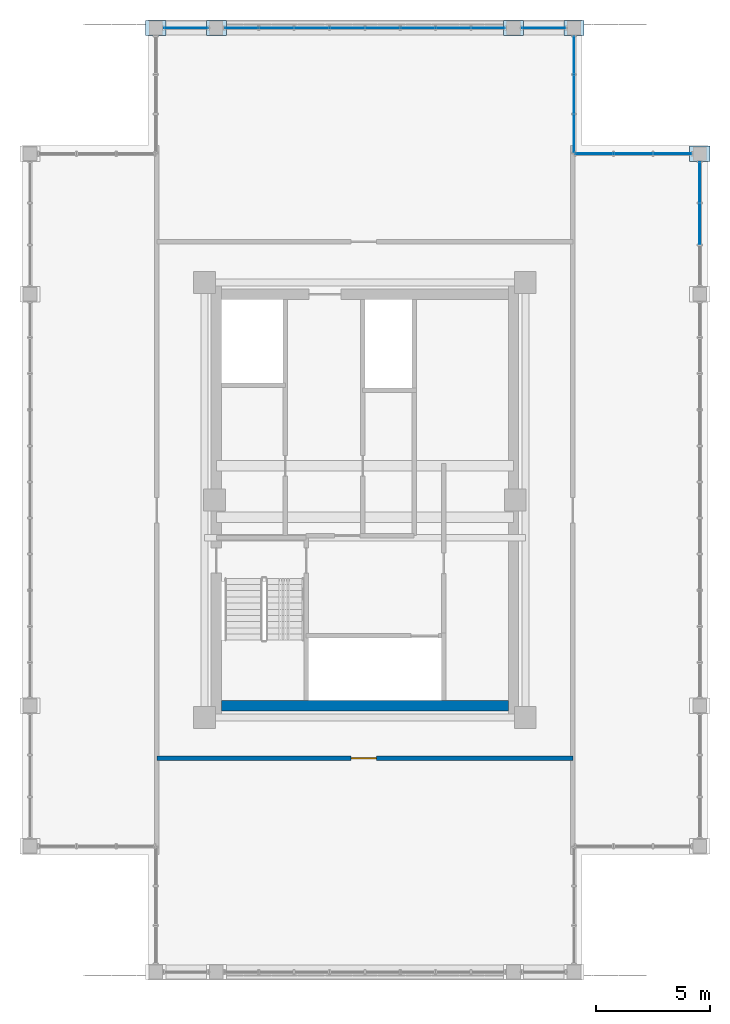
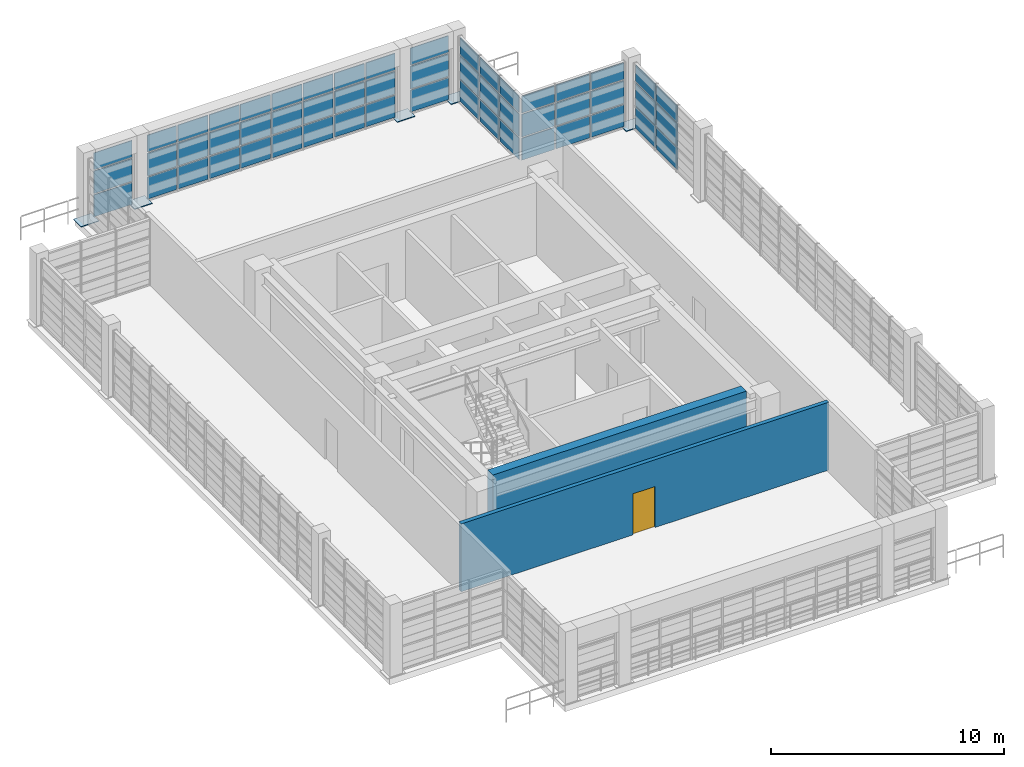
# One storey, part 19 of 24: 59 plates, 2 walls, 1 door, 1 opening, 6 elements without a shape of their own.
"""IFC4 building model written with IfcOpenShell, lengths in metres."""

from ifc_helpers import new_model, si_unit, direction, frame, frame_2d, origin, origin_2d, place, context, subcontext, project, spatial, rectangle, extrude, source, transform, mapped, material, layer, layer_set, type_object, element, fill, aggregate, save


model = new_model("IFC4")

# Units and contexts
model_context = context("Model", 3, precision=1e-05, world=origin(), true_north=direction((0.0, 1.0)))
body_context = subcontext(model_context, "Body", "Model", "MODEL_VIEW")
ifc_project = project(units=[si_unit("LENGTHUNIT", "METRE"), si_unit("AREAUNIT", "SQUARE_METRE"), si_unit("VOLUMEUNIT", "CUBIC_METRE"), si_unit("PLANEANGLEUNIT", "RADIAN"), si_unit("MASSUNIT", "GRAM", prefix="KILO")], contexts=[model_context])

# Site, building, storey
site_placement = place(None, origin())
site = spatial("IfcSite", under=ifc_project, at=site_placement, CompositionType="ELEMENT")
building_placement = place(site_placement, origin())
building = spatial("IfcBuilding", under=site, at=building_placement, Name="Saelheon Loggia Tower", CompositionType="ELEMENT")
storey_placement = place(building_placement, frame((0.0, 0.0, 252.199951171875)))
storey = spatial("IfcBuildingStorey", under=building, at=storey_placement, Name="CR1", CompositionType="ELEMENT", Elevation=252.199951171875)

# Plates
ifc_material_1 = material(Name="Steel SM355", Category="steel")
ifc_layer_1 = layer(ifc_material_1, 0.035888671875)
ifc_layer_set_1 = layer_set([ifc_layer_1], Name="Steel SM355")
plate_type_1 = type_object("IfcPlateType", Name="CrownFrame_BasePlate_BP1", PredefinedType="USERDEFINED", material=ifc_layer_set_1)
shared_shape_1 = source(origin(), body_context, "Body", "SweptSolid", [
    extrude(rectangle(XDim=0.8798828125, YDim=0.659912109375, at=origin_2d()), origin(), (0.0, 0.0, 1.0), 0.035888671875),
])
for number, where, z_axis, x_axis, name in (
    (1, (52.64990234375, 42.14990234375, 0.0), (0.0, 0.0, 1.0), (1.0, 0.0, 0.0), "CROWN FRAME Column Base Plate TP-E2"),
    (2, (47.14990234375, 47.64990234375, 0.0), (0.0, 0.0, 1.0), (1.0, 0.0, 0.0), "CROWN FRAME Column Base Plate TP-N2"),
    (3, (44.5, 47.64990234375, 0.0), (0.0, 0.0, 1.0), (1.0, 0.0, 0.0), "CROWN FRAME Column Base Plate TP-NB"),
    (4, (31.5, 47.64990234375, 0.0), (0.0, 0.0, 1.0), (1.0, 0.0, 0.0), "CROWN FRAME Column Base Plate TP-NA"),
    (5, (28.85009765625, 47.64990234375, 0.0), (0.0, 0.0, 1.0), (1.0, 0.0, 0.0), "CROWN FRAME Column Base Plate TP-N1"),
):
    element("IfcPlate", number, at=place(storey_placement, frame(where, z_axis=z_axis, x_axis=x_axis)), inside=storey, type_object=plate_type_1, Name=name, ObjectType="BASE_PLATE", PredefinedType="USERDEFINED", context=body_context, shape_type="MappedRepresentation", body=[
        mapped(shared_shape_1, transform((0.0, 0.0, 0.0), scale=1.0)),
    ])

# Curtain wall, plate
ifc_material_2 = material(Name="Bronze-Anodised Aluminium and Fritted Ceramic Screen", Category="aluminium")
ifc_layer_2 = layer(ifc_material_2, 0.219970703125)
ifc_layer_set_2 = layer_set([ifc_layer_2], Name="Bronze-Anodised Aluminium and Fritted Ceramic Screen")
curtain_wall_type = type_object("IfcCurtainWallType", Name="CW_CrownScreen", PredefinedType="NOTDEFINED", material=ifc_layer_set_2)
curtain_wall_1_placement = place(storey_placement, origin())
curtain_wall_1 = element("IfcCurtainWall", 6, at=curtain_wall_1_placement, inside=storey, type_object=curtain_wall_type, Name="CR1 Crown Screen Curtain Wall 6-1", PredefinedType="NOTDEFINED")
ifc_material_3 = material(Name="Bronze Ceramic Fritted Spandrel Panel", Category="aluminium")
ifc_layer_3 = layer(ifc_material_3, 0.0380859375)
ifc_layer_set_3 = layer_set([ifc_layer_3], Name="Bronze Ceramic Fritted Spandrel Panel")
plate_type_2 = type_object("IfcPlateType", Name="CW_CrownScreen_Panel", PredefinedType="CURTAIN_PANEL", material=ifc_layer_set_3)
shared_shape_2 = source(origin(), body_context, "Body", "SweptSolid", [
    extrude(rectangle(XDim=1.889892578125, YDim=0.0380859375, at=origin_2d()), origin(), (0.0, 0.0, 1.0), 1.14501953125),
])
plate_1_placement = place(storey_placement, frame((45.824951171875, 47.64990234375, 0.070068359375), z_axis=(0.0, 0.0, 1.0), x_axis=(-1.0, 0.0, 0.0)))
plate_1 = element("IfcPlate", 7, at=plate_1_placement, type_object=plate_type_2, Name="CW6 panel 1.1", PredefinedType="CURTAIN_PANEL", context=body_context, shape_type="MappedRepresentation", body=[
    mapped(shared_shape_2, transform((0.0, 0.0, 0.0), scale=1.0)),
])

curtain_wall_2_placement = place(storey_placement, origin())
curtain_wall_2 = element("IfcCurtainWall", 8, at=curtain_wall_2_placement, inside=storey, type_object=curtain_wall_type, Name="CR1 Crown Screen Curtain Wall 6-3", PredefinedType="NOTDEFINED")
plate_2_placement = place(storey_placement, frame((30.175048828125, 47.64990234375, 0.070068359375), z_axis=(0.0, 0.0, 1.0), x_axis=(-1.0, 0.0, 0.0)))
plate_2 = element("IfcPlate", 9, at=plate_2_placement, type_object=plate_type_2, Name="CW6 panel 1.1", PredefinedType="CURTAIN_PANEL", context=body_context, shape_type="MappedRepresentation", body=[
    mapped(shared_shape_2, transform((0.0, 0.0, 0.0), scale=1.0)),
])

# Plate
shared_shape_3 = source(origin(), body_context, "Body", "SweptSolid", [
    extrude(rectangle(XDim=1.889892578125, YDim=0.0380859375, at=origin_2d()), origin(), (0.0, 0.0, 1.0), 1.179931640625),
])
plate_3_placement = place(storey_placement, frame((45.824951171875, 47.64990234375, 1.28515625), z_axis=(0.0, 0.0, 1.0), x_axis=(-1.0, 0.0, 0.0)))
plate_3 = element("IfcPlate", 10, at=plate_3_placement, type_object=plate_type_2, Name="CW6 panel 1.2", PredefinedType="CURTAIN_PANEL", context=body_context, shape_type="MappedRepresentation", body=[
    mapped(shared_shape_3, transform((0.0, 0.0, 0.0), scale=1.0)),
])

plate_4_placement = place(storey_placement, frame((30.175048828125, 47.64990234375, 1.28515625), z_axis=(0.0, 0.0, 1.0), x_axis=(-1.0, 0.0, 0.0)))
plate_4 = element("IfcPlate", 11, at=plate_4_placement, type_object=plate_type_2, Name="CW6 panel 1.2", PredefinedType="CURTAIN_PANEL", context=body_context, shape_type="MappedRepresentation", body=[
    mapped(shared_shape_3, transform((0.0, 0.0, 0.0), scale=1.0)),
])

shared_shape_4 = source(origin(), body_context, "Body", "SweptSolid", [
    extrude(rectangle(XDim=1.889892578125, YDim=0.0380859375, at=origin_2d()), origin(), (0.0, 0.0, 1.0), 0.875),
])
plate_5_placement = place(storey_placement, frame((45.824951171875, 47.64990234375, 2.53515625), z_axis=(0.0, 0.0, 1.0), x_axis=(-1.0, 0.0, 0.0)))
plate_5 = element("IfcPlate", 12, at=plate_5_placement, type_object=plate_type_2, Name="CW6 panel 1.3", PredefinedType="CURTAIN_PANEL", context=body_context, shape_type="MappedRepresentation", body=[
    mapped(shared_shape_4, transform((0.0, 0.0, 0.0), scale=1.0)),
])

aggregate(curtain_wall_1, [plate_1, plate_3, plate_5])

plate_6_placement = place(storey_placement, frame((30.175048828125, 47.64990234375, 2.53515625), z_axis=(0.0, 0.0, 1.0), x_axis=(-1.0, 0.0, 0.0)))
plate_6 = element("IfcPlate", 13, at=plate_6_placement, type_object=plate_type_2, Name="CW6 panel 1.3", PredefinedType="CURTAIN_PANEL", context=body_context, shape_type="MappedRepresentation", body=[
    mapped(shared_shape_4, transform((0.0, 0.0, 0.0), scale=1.0)),
])

aggregate(curtain_wall_2, [plate_2, plate_4, plate_6])

# Curtain wall, plates
curtain_wall_3_placement = place(storey_placement, origin())
curtain_wall_3 = element("IfcCurtainWall", 14, at=curtain_wall_3_placement, inside=storey, type_object=curtain_wall_type, Name="CR1 Crown Screen Curtain Wall 6-2", PredefinedType="NOTDEFINED")
shared_shape_5 = source(origin(), body_context, "Body", "SweptSolid", [
    extrude(rectangle(XDim=1.4423828125, YDim=0.0380859375, at=origin_2d()), origin(), (0.0, 0.0, 1.0), 1.14501953125),
])
plate_7_placement = place(storey_placement, frame((43.398681640625, 47.64990234375, 0.070068359375), z_axis=(0.0, 0.0, 1.0), x_axis=(-1.0, 0.0, 0.0)))
plate_7 = element("IfcPlate", 15, at=plate_7_placement, type_object=plate_type_2, Name="CW6 panel 1.1", PredefinedType="CURTAIN_PANEL", context=body_context, shape_type="MappedRepresentation", body=[
    mapped(shared_shape_5, transform((0.0, 0.0, 0.0), scale=1.0)),
])
plate_8_placement = place(storey_placement, frame((32.601318359375, 47.64990234375, 0.070068359375), z_axis=(0.0, 0.0, 1.0), x_axis=(-1.0, 0.0, 0.0)))
plate_8 = element("IfcPlate", 16, at=plate_8_placement, type_object=plate_type_2, Name="CW6 panel 8.1", PredefinedType="CURTAIN_PANEL", context=body_context, shape_type="MappedRepresentation", body=[
    mapped(shared_shape_5, transform((0.0, 0.0, 0.0), scale=1.0)),
])
shared_shape_6 = source(origin(), body_context, "Body", "SweptSolid", [
    extrude(rectangle(XDim=1.4423828125, YDim=0.0380859375, at=origin_2d()), origin(), (0.0, 0.0, 1.0), 1.179931640625),
])
plate_9_placement = place(storey_placement, frame((43.398681640625, 47.64990234375, 1.28515625), z_axis=(0.0, 0.0, 1.0), x_axis=(-1.0, 0.0, 0.0)))
plate_9 = element("IfcPlate", 17, at=plate_9_placement, type_object=plate_type_2, Name="CW6 panel 1.2", PredefinedType="CURTAIN_PANEL", context=body_context, shape_type="MappedRepresentation", body=[
    mapped(shared_shape_6, transform((0.0, 0.0, 0.0), scale=1.0)),
])
plate_10_placement = place(storey_placement, frame((32.601318359375, 47.64990234375, 1.28515625), z_axis=(0.0, 0.0, 1.0), x_axis=(-1.0, 0.0, 0.0)))
plate_10 = element("IfcPlate", 18, at=plate_10_placement, type_object=plate_type_2, Name="CW6 panel 8.2", PredefinedType="CURTAIN_PANEL", context=body_context, shape_type="MappedRepresentation", body=[
    mapped(shared_shape_6, transform((0.0, 0.0, 0.0), scale=1.0)),
])
shared_shape_7 = source(origin(), body_context, "Body", "SweptSolid", [
    extrude(rectangle(XDim=1.4423828125, YDim=0.0380859375, at=origin_2d()), origin(), (0.0, 0.0, 1.0), 0.875),
])
plate_11_placement = place(storey_placement, frame((43.398681640625, 47.64990234375, 2.53515625), z_axis=(0.0, 0.0, 1.0), x_axis=(-1.0, 0.0, 0.0)))
plate_11 = element("IfcPlate", 19, at=plate_11_placement, type_object=plate_type_2, Name="CW6 panel 1.3", PredefinedType="CURTAIN_PANEL", context=body_context, shape_type="MappedRepresentation", body=[
    mapped(shared_shape_7, transform((0.0, 0.0, 0.0), scale=1.0)),
])
plate_12_placement = place(storey_placement, frame((32.601318359375, 47.64990234375, 2.53515625), z_axis=(0.0, 0.0, 1.0), x_axis=(-1.0, 0.0, 0.0)))
plate_12 = element("IfcPlate", 20, at=plate_12_placement, type_object=plate_type_2, Name="CW6 panel 8.3", PredefinedType="CURTAIN_PANEL", context=body_context, shape_type="MappedRepresentation", body=[
    mapped(shared_shape_7, transform((0.0, 0.0, 0.0), scale=1.0)),
])
shared_shape_8 = source(origin(), body_context, "Body", "SweptSolid", [
    extrude(rectangle(XDim=1.4775390625, YDim=0.0380859375, at=origin_2d()), origin(), (0.0, 0.0, 1.0), 1.14501953125),
])
plate_13_placement = place(storey_placement, frame((41.86865234375, 47.64990234375, 0.070068359375), z_axis=(0.0, 0.0, 1.0), x_axis=(-1.0, 0.0, 0.0)))
plate_13 = element("IfcPlate", 21, at=plate_13_placement, type_object=plate_type_2, Name="CW6 panel 2.1", PredefinedType="CURTAIN_PANEL", context=body_context, shape_type="MappedRepresentation", body=[
    mapped(shared_shape_8, transform((0.0, 0.0, 0.0), scale=1.0)),
])
plate_14_placement = place(storey_placement, frame((40.3212890625, 47.64990234375, 0.070068359375), z_axis=(0.0, 0.0, 1.0), x_axis=(-1.0, 0.0, 0.0)))
plate_14 = element("IfcPlate", 22, at=plate_14_placement, type_object=plate_type_2, Name="CW6 panel 3.1", PredefinedType="CURTAIN_PANEL", context=body_context, shape_type="MappedRepresentation", body=[
    mapped(shared_shape_8, transform((0.0, 0.0, 0.0), scale=1.0)),
])
plate_15_placement = place(storey_placement, frame((38.773681640625, 47.64990234375, 0.070068359375), z_axis=(0.0, 0.0, 1.0), x_axis=(-1.0, 0.0, 0.0)))
plate_15 = element("IfcPlate", 23, at=plate_15_placement, type_object=plate_type_2, Name="CW6 panel 4.1", PredefinedType="CURTAIN_PANEL", context=body_context, shape_type="MappedRepresentation", body=[
    mapped(shared_shape_8, transform((0.0, 0.0, 0.0), scale=1.0)),
])
plate_16_placement = place(storey_placement, frame((37.226318359375, 47.64990234375, 0.070068359375), z_axis=(0.0, 0.0, 1.0), x_axis=(-1.0, 0.0, 0.0)))
plate_16 = element("IfcPlate", 24, at=plate_16_placement, type_object=plate_type_2, Name="CW6 panel 5.1", PredefinedType="CURTAIN_PANEL", context=body_context, shape_type="MappedRepresentation", body=[
    mapped(shared_shape_8, transform((0.0, 0.0, 0.0), scale=1.0)),
])
plate_17_placement = place(storey_placement, frame((35.6787109375, 47.64990234375, 0.070068359375), z_axis=(0.0, 0.0, 1.0), x_axis=(-1.0, 0.0, 0.0)))
plate_17 = element("IfcPlate", 25, at=plate_17_placement, type_object=plate_type_2, Name="CW6 panel 6.1", PredefinedType="CURTAIN_PANEL", context=body_context, shape_type="MappedRepresentation", body=[
    mapped(shared_shape_8, transform((0.0, 0.0, 0.0), scale=1.0)),
])
plate_18_placement = place(storey_placement, frame((34.13134765625, 47.64990234375, 0.070068359375), z_axis=(0.0, 0.0, 1.0), x_axis=(-1.0, 0.0, 0.0)))
plate_18 = element("IfcPlate", 26, at=plate_18_placement, type_object=plate_type_2, Name="CW6 panel 7.1", PredefinedType="CURTAIN_PANEL", context=body_context, shape_type="MappedRepresentation", body=[
    mapped(shared_shape_8, transform((0.0, 0.0, 0.0), scale=1.0)),
])
shared_shape_9 = source(origin(), body_context, "Body", "SweptSolid", [
    extrude(rectangle(XDim=1.4775390625, YDim=0.0380859375, at=origin_2d()), origin(), (0.0, 0.0, 1.0), 1.179931640625),
])
plate_19_placement = place(storey_placement, frame((41.86865234375, 47.64990234375, 1.28515625), z_axis=(0.0, 0.0, 1.0), x_axis=(-1.0, 0.0, 0.0)))
plate_19 = element("IfcPlate", 27, at=plate_19_placement, type_object=plate_type_2, Name="CW6 panel 2.2", PredefinedType="CURTAIN_PANEL", context=body_context, shape_type="MappedRepresentation", body=[
    mapped(shared_shape_9, transform((0.0, 0.0, 0.0), scale=1.0)),
])
plate_20_placement = place(storey_placement, frame((40.3212890625, 47.64990234375, 1.28515625), z_axis=(0.0, 0.0, 1.0), x_axis=(-1.0, 0.0, 0.0)))
plate_20 = element("IfcPlate", 28, at=plate_20_placement, type_object=plate_type_2, Name="CW6 panel 3.2", PredefinedType="CURTAIN_PANEL", context=body_context, shape_type="MappedRepresentation", body=[
    mapped(shared_shape_9, transform((0.0, 0.0, 0.0), scale=1.0)),
])
plate_21_placement = place(storey_placement, frame((38.773681640625, 47.64990234375, 1.28515625), z_axis=(0.0, 0.0, 1.0), x_axis=(-1.0, 0.0, 0.0)))
plate_21 = element("IfcPlate", 29, at=plate_21_placement, type_object=plate_type_2, Name="CW6 panel 4.2", PredefinedType="CURTAIN_PANEL", context=body_context, shape_type="MappedRepresentation", body=[
    mapped(shared_shape_9, transform((0.0, 0.0, 0.0), scale=1.0)),
])
plate_22_placement = place(storey_placement, frame((37.226318359375, 47.64990234375, 1.28515625), z_axis=(0.0, 0.0, 1.0), x_axis=(-1.0, 0.0, 0.0)))
plate_22 = element("IfcPlate", 30, at=plate_22_placement, type_object=plate_type_2, Name="CW6 panel 5.2", PredefinedType="CURTAIN_PANEL", context=body_context, shape_type="MappedRepresentation", body=[
    mapped(shared_shape_9, transform((0.0, 0.0, 0.0), scale=1.0)),
])
plate_23_placement = place(storey_placement, frame((35.6787109375, 47.64990234375, 1.28515625), z_axis=(0.0, 0.0, 1.0), x_axis=(-1.0, 0.0, 0.0)))
plate_23 = element("IfcPlate", 31, at=plate_23_placement, type_object=plate_type_2, Name="CW6 panel 6.2", PredefinedType="CURTAIN_PANEL", context=body_context, shape_type="MappedRepresentation", body=[
    mapped(shared_shape_9, transform((0.0, 0.0, 0.0), scale=1.0)),
])
plate_24_placement = place(storey_placement, frame((34.13134765625, 47.64990234375, 1.28515625), z_axis=(0.0, 0.0, 1.0), x_axis=(-1.0, 0.0, 0.0)))
plate_24 = element("IfcPlate", 32, at=plate_24_placement, type_object=plate_type_2, Name="CW6 panel 7.2", PredefinedType="CURTAIN_PANEL", context=body_context, shape_type="MappedRepresentation", body=[
    mapped(shared_shape_9, transform((0.0, 0.0, 0.0), scale=1.0)),
])
shared_shape_10 = source(origin(), body_context, "Body", "SweptSolid", [
    extrude(rectangle(XDim=1.4775390625, YDim=0.0380859375, at=origin_2d()), origin(), (0.0, 0.0, 1.0), 0.875),
])
plate_25_placement = place(storey_placement, frame((41.86865234375, 47.64990234375, 2.53515625), z_axis=(0.0, 0.0, 1.0), x_axis=(-1.0, 0.0, 0.0)))
plate_25 = element("IfcPlate", 33, at=plate_25_placement, type_object=plate_type_2, Name="CW6 panel 2.3", PredefinedType="CURTAIN_PANEL", context=body_context, shape_type="MappedRepresentation", body=[
    mapped(shared_shape_10, transform((0.0, 0.0, 0.0), scale=1.0)),
])
plate_26_placement = place(storey_placement, frame((40.3212890625, 47.64990234375, 2.53515625), z_axis=(0.0, 0.0, 1.0), x_axis=(-1.0, 0.0, 0.0)))
plate_26 = element("IfcPlate", 34, at=plate_26_placement, type_object=plate_type_2, Name="CW6 panel 3.3", PredefinedType="CURTAIN_PANEL", context=body_context, shape_type="MappedRepresentation", body=[
    mapped(shared_shape_10, transform((0.0, 0.0, 0.0), scale=1.0)),
])
plate_27_placement = place(storey_placement, frame((38.773681640625, 47.64990234375, 2.53515625), z_axis=(0.0, 0.0, 1.0), x_axis=(-1.0, 0.0, 0.0)))
plate_27 = element("IfcPlate", 35, at=plate_27_placement, type_object=plate_type_2, Name="CW6 panel 4.3", PredefinedType="CURTAIN_PANEL", context=body_context, shape_type="MappedRepresentation", body=[
    mapped(shared_shape_10, transform((0.0, 0.0, 0.0), scale=1.0)),
])
plate_28_placement = place(storey_placement, frame((37.226318359375, 47.64990234375, 2.53515625), z_axis=(0.0, 0.0, 1.0), x_axis=(-1.0, 0.0, 0.0)))
plate_28 = element("IfcPlate", 36, at=plate_28_placement, type_object=plate_type_2, Name="CW6 panel 5.3", PredefinedType="CURTAIN_PANEL", context=body_context, shape_type="MappedRepresentation", body=[
    mapped(shared_shape_10, transform((0.0, 0.0, 0.0), scale=1.0)),
])
plate_29_placement = place(storey_placement, frame((35.6787109375, 47.64990234375, 2.53515625), z_axis=(0.0, 0.0, 1.0), x_axis=(-1.0, 0.0, 0.0)))
plate_29 = element("IfcPlate", 37, at=plate_29_placement, type_object=plate_type_2, Name="CW6 panel 6.3", PredefinedType="CURTAIN_PANEL", context=body_context, shape_type="MappedRepresentation", body=[
    mapped(shared_shape_10, transform((0.0, 0.0, 0.0), scale=1.0)),
])
plate_30_placement = place(storey_placement, frame((34.13134765625, 47.64990234375, 2.53515625), z_axis=(0.0, 0.0, 1.0), x_axis=(-1.0, 0.0, 0.0)))
plate_30 = element("IfcPlate", 38, at=plate_30_placement, type_object=plate_type_2, Name="CW6 panel 7.3", PredefinedType="CURTAIN_PANEL", context=body_context, shape_type="MappedRepresentation", body=[
    mapped(shared_shape_10, transform((0.0, 0.0, 0.0), scale=1.0)),
])
aggregate(curtain_wall_3, [plate_7, plate_9, plate_11, plate_13, plate_19, plate_25, plate_14, plate_20, plate_26, plate_15, plate_21, plate_27, plate_16, plate_22, plate_28, plate_17, plate_23, plate_29, plate_18, plate_24, plate_30, plate_8, plate_10, plate_12])

curtain_wall_4_placement = place(storey_placement, origin())
curtain_wall_4 = element("IfcCurtainWall", 39, at=curtain_wall_4_placement, inside=storey, type_object=curtain_wall_type, Name="CR1 Crown Screen Curtain Wall 4-1", PredefinedType="NOTDEFINED")
shared_shape_11 = source(origin(), body_context, "Body", "SweptSolid", [
    extrude(rectangle(XDim=1.625, YDim=0.0380859375, at=origin_2d()), origin(), (0.0, 0.0, 1.0), 1.14501953125),
])
plate_31_placement = place(storey_placement, frame((51.45751953125, 42.14990234375, 0.070068359375), z_axis=(0.0, 0.0, 1.0), x_axis=(-1.0, 0.0, 0.0)))
plate_31 = element("IfcPlate", 40, at=plate_31_placement, type_object=plate_type_2, Name="CW6 panel 1.1", PredefinedType="CURTAIN_PANEL", context=body_context, shape_type="MappedRepresentation", body=[
    mapped(shared_shape_11, transform((0.0, 0.0, 0.0), scale=1.0)),
])
plate_32_placement = place(storey_placement, frame((48.032470703125, 42.14990234375, 0.070068359375), z_axis=(0.0, 0.0, 1.0), x_axis=(-1.0, 0.0, 0.0)))
plate_32 = element("IfcPlate", 41, at=plate_32_placement, type_object=plate_type_2, Name="CW6 panel 3.1", PredefinedType="CURTAIN_PANEL", context=body_context, shape_type="MappedRepresentation", body=[
    mapped(shared_shape_11, transform((0.0, 0.0, 0.0), scale=1.0)),
])

curtain_wall_5_placement = place(storey_placement, origin())
curtain_wall_5 = element("IfcCurtainWall", 42, at=curtain_wall_5_placement, inside=storey, type_object=curtain_wall_type, Name="CR1 Crown Screen Curtain Wall 5-1", PredefinedType="NOTDEFINED")
plate_33_placement = place(storey_placement, frame((47.14990234375, 43.032470703125, 0.070068359375), z_axis=(0.0, 0.0, 1.0), x_axis=(0.0, 1.0, 0.0)))
plate_33 = element("IfcPlate", 43, at=plate_33_placement, type_object=plate_type_2, Name="CW6 panel 1.1", PredefinedType="CURTAIN_PANEL", context=body_context, shape_type="MappedRepresentation", body=[
    mapped(shared_shape_11, transform((0.0, 0.0, 0.0), scale=1.0)),
])
plate_34_placement = place(storey_placement, frame((47.14990234375, 46.45751953125, 0.070068359375), z_axis=(0.0, 0.0, 1.0), x_axis=(0.0, 1.0, 0.0)))
plate_34 = element("IfcPlate", 44, at=plate_34_placement, type_object=plate_type_2, Name="CW6 panel 3.1", PredefinedType="CURTAIN_PANEL", context=body_context, shape_type="MappedRepresentation", body=[
    mapped(shared_shape_11, transform((0.0, 0.0, 0.0), scale=1.0)),
])

# Plate
shared_shape_12 = source(origin(), body_context, "Body", "SweptSolid", [
    extrude(rectangle(XDim=1.625, YDim=0.0380859375, at=origin_2d()), origin(), (0.0, 0.0, 1.0), 1.179931640625),
])
plate_35_placement = place(storey_placement, frame((51.45751953125, 42.14990234375, 1.28515625), z_axis=(0.0, 0.0, 1.0), x_axis=(-1.0, 0.0, 0.0)))
plate_35 = element("IfcPlate", 45, at=plate_35_placement, type_object=plate_type_2, Name="CW6 panel 1.2", PredefinedType="CURTAIN_PANEL", context=body_context, shape_type="MappedRepresentation", body=[
    mapped(shared_shape_12, transform((0.0, 0.0, 0.0), scale=1.0)),
])

plate_36_placement = place(storey_placement, frame((48.032470703125, 42.14990234375, 1.28515625), z_axis=(0.0, 0.0, 1.0), x_axis=(-1.0, 0.0, 0.0)))
plate_36 = element("IfcPlate", 46, at=plate_36_placement, type_object=plate_type_2, Name="CW6 panel 3.2", PredefinedType="CURTAIN_PANEL", context=body_context, shape_type="MappedRepresentation", body=[
    mapped(shared_shape_12, transform((0.0, 0.0, 0.0), scale=1.0)),
])

plate_37_placement = place(storey_placement, frame((47.14990234375, 43.032470703125, 1.28515625), z_axis=(0.0, 0.0, 1.0), x_axis=(0.0, 1.0, 0.0)))
plate_37 = element("IfcPlate", 47, at=plate_37_placement, type_object=plate_type_2, Name="CW6 panel 1.2", PredefinedType="CURTAIN_PANEL", context=body_context, shape_type="MappedRepresentation", body=[
    mapped(shared_shape_12, transform((0.0, 0.0, 0.0), scale=1.0)),
])

plate_38_placement = place(storey_placement, frame((47.14990234375, 46.45751953125, 1.28515625), z_axis=(0.0, 0.0, 1.0), x_axis=(0.0, 1.0, 0.0)))
plate_38 = element("IfcPlate", 48, at=plate_38_placement, type_object=plate_type_2, Name="CW6 panel 3.2", PredefinedType="CURTAIN_PANEL", context=body_context, shape_type="MappedRepresentation", body=[
    mapped(shared_shape_12, transform((0.0, 0.0, 0.0), scale=1.0)),
])

shared_shape_13 = source(origin(), body_context, "Body", "SweptSolid", [
    extrude(rectangle(XDim=1.625, YDim=0.0380859375, at=origin_2d()), origin(), (0.0, 0.0, 1.0), 0.875),
])
plate_39_placement = place(storey_placement, frame((51.45751953125, 42.14990234375, 2.53515625), z_axis=(0.0, 0.0, 1.0), x_axis=(-1.0, 0.0, 0.0)))
plate_39 = element("IfcPlate", 49, at=plate_39_placement, type_object=plate_type_2, Name="CW6 panel 1.3", PredefinedType="CURTAIN_PANEL", context=body_context, shape_type="MappedRepresentation", body=[
    mapped(shared_shape_13, transform((0.0, 0.0, 0.0), scale=1.0)),
])

plate_40_placement = place(storey_placement, frame((48.032470703125, 42.14990234375, 2.53515625), z_axis=(0.0, 0.0, 1.0), x_axis=(-1.0, 0.0, 0.0)))
plate_40 = element("IfcPlate", 50, at=plate_40_placement, type_object=plate_type_2, Name="CW6 panel 3.3", PredefinedType="CURTAIN_PANEL", context=body_context, shape_type="MappedRepresentation", body=[
    mapped(shared_shape_13, transform((0.0, 0.0, 0.0), scale=1.0)),
])

plate_41_placement = place(storey_placement, frame((47.14990234375, 43.032470703125, 2.53515625), z_axis=(0.0, 0.0, 1.0), x_axis=(0.0, 1.0, 0.0)))
plate_41 = element("IfcPlate", 51, at=plate_41_placement, type_object=plate_type_2, Name="CW6 panel 1.3", PredefinedType="CURTAIN_PANEL", context=body_context, shape_type="MappedRepresentation", body=[
    mapped(shared_shape_13, transform((0.0, 0.0, 0.0), scale=1.0)),
])

plate_42_placement = place(storey_placement, frame((47.14990234375, 46.45751953125, 2.53515625), z_axis=(0.0, 0.0, 1.0), x_axis=(0.0, 1.0, 0.0)))
plate_42 = element("IfcPlate", 52, at=plate_42_placement, type_object=plate_type_2, Name="CW6 panel 3.3", PredefinedType="CURTAIN_PANEL", context=body_context, shape_type="MappedRepresentation", body=[
    mapped(shared_shape_13, transform((0.0, 0.0, 0.0), scale=1.0)),
])

shared_shape_14 = source(origin(), body_context, "Body", "SweptSolid", [
    extrude(rectangle(XDim=1.659912109375, YDim=0.0380859375, at=origin_2d()), origin(), (0.0, 0.0, 1.0), 1.14501953125),
])
plate_43_placement = place(storey_placement, frame((49.7451171875, 42.14990234375, 0.070068359375), z_axis=(0.0, 0.0, 1.0), x_axis=(-1.0, 0.0, 0.0)))
plate_43 = element("IfcPlate", 53, at=plate_43_placement, type_object=plate_type_2, Name="CW6 panel 2.1", PredefinedType="CURTAIN_PANEL", context=body_context, shape_type="MappedRepresentation", body=[
    mapped(shared_shape_14, transform((0.0, 0.0, 0.0), scale=1.0)),
])

plate_44_placement = place(storey_placement, frame((47.14990234375, 44.7451171875, 0.070068359375), z_axis=(0.0, 0.0, 1.0), x_axis=(0.0, 1.0, 0.0)))
plate_44 = element("IfcPlate", 54, at=plate_44_placement, type_object=plate_type_2, Name="CW6 panel 2.1", PredefinedType="CURTAIN_PANEL", context=body_context, shape_type="MappedRepresentation", body=[
    mapped(shared_shape_14, transform((0.0, 0.0, 0.0), scale=1.0)),
])

shared_shape_15 = source(origin(), body_context, "Body", "SweptSolid", [
    extrude(rectangle(XDim=1.659912109375, YDim=0.0380859375, at=origin_2d()), origin(), (0.0, 0.0, 1.0), 1.179931640625),
])
plate_45_placement = place(storey_placement, frame((49.7451171875, 42.14990234375, 1.28515625), z_axis=(0.0, 0.0, 1.0), x_axis=(-1.0, 0.0, 0.0)))
plate_45 = element("IfcPlate", 55, at=plate_45_placement, type_object=plate_type_2, Name="CW6 panel 2.2", PredefinedType="CURTAIN_PANEL", context=body_context, shape_type="MappedRepresentation", body=[
    mapped(shared_shape_15, transform((0.0, 0.0, 0.0), scale=1.0)),
])

plate_46_placement = place(storey_placement, frame((47.14990234375, 44.7451171875, 1.28515625), z_axis=(0.0, 0.0, 1.0), x_axis=(0.0, 1.0, 0.0)))
plate_46 = element("IfcPlate", 56, at=plate_46_placement, type_object=plate_type_2, Name="CW6 panel 2.2", PredefinedType="CURTAIN_PANEL", context=body_context, shape_type="MappedRepresentation", body=[
    mapped(shared_shape_15, transform((0.0, 0.0, 0.0), scale=1.0)),
])

shared_shape_16 = source(origin(), body_context, "Body", "SweptSolid", [
    extrude(rectangle(XDim=1.659912109375, YDim=0.0380859375, at=origin_2d()), origin(), (0.0, 0.0, 1.0), 0.875),
])
plate_47_placement = place(storey_placement, frame((49.7451171875, 42.14990234375, 2.53515625), z_axis=(0.0, 0.0, 1.0), x_axis=(-1.0, 0.0, 0.0)))
plate_47 = element("IfcPlate", 57, at=plate_47_placement, type_object=plate_type_2, Name="CW6 panel 2.3", PredefinedType="CURTAIN_PANEL", context=body_context, shape_type="MappedRepresentation", body=[
    mapped(shared_shape_16, transform((0.0, 0.0, 0.0), scale=1.0)),
])

aggregate(curtain_wall_4, [plate_31, plate_35, plate_39, plate_43, plate_45, plate_47, plate_32, plate_36, plate_40])

plate_48_placement = place(storey_placement, frame((47.14990234375, 44.7451171875, 2.53515625), z_axis=(0.0, 0.0, 1.0), x_axis=(0.0, 1.0, 0.0)))
plate_48 = element("IfcPlate", 58, at=plate_48_placement, type_object=plate_type_2, Name="CW6 panel 2.3", PredefinedType="CURTAIN_PANEL", context=body_context, shape_type="MappedRepresentation", body=[
    mapped(shared_shape_16, transform((0.0, 0.0, 0.0), scale=1.0)),
])

aggregate(curtain_wall_5, [plate_33, plate_37, plate_41, plate_44, plate_46, plate_48, plate_34, plate_38, plate_42])

# Curtain wall, plates
curtain_wall_6_placement = place(storey_placement, origin())
curtain_wall_6 = element("IfcCurtainWall", 59, at=curtain_wall_6_placement, inside=storey, type_object=curtain_wall_type, Name="CR1 Crown Screen Curtain Wall 3-3", PredefinedType="NOTDEFINED")
shared_shape_17 = source(origin(), body_context, "Body", "SweptSolid", [
    extrude(rectangle(XDim=1.73828125, YDim=0.0380859375, at=origin_2d()), origin(), (0.0, 0.0, 1.0), 1.14501953125),
])
plate_49_placement = place(storey_placement, frame((52.64990234375, 40.90087890625, 0.070068359375), z_axis=(0.0, 0.0, 1.0), x_axis=(0.0, 1.0, 0.0)))
plate_49 = element("IfcPlate", 60, at=plate_49_placement, type_object=plate_type_2, Name="CW6 panel 3.1", PredefinedType="CURTAIN_PANEL", context=body_context, shape_type="MappedRepresentation", body=[
    mapped(shared_shape_17, transform((0.0, 0.0, 0.0), scale=1.0)),
])
shared_shape_18 = source(origin(), body_context, "Body", "SweptSolid", [
    extrude(rectangle(XDim=1.73828125, YDim=0.0380859375, at=origin_2d()), origin(), (0.0, 0.0, 1.0), 1.179931640625),
])
plate_50_placement = place(storey_placement, frame((52.64990234375, 40.90087890625, 1.28515625), z_axis=(0.0, 0.0, 1.0), x_axis=(0.0, 1.0, 0.0)))
plate_50 = element("IfcPlate", 61, at=plate_50_placement, type_object=plate_type_2, Name="CW6 panel 3.2", PredefinedType="CURTAIN_PANEL", context=body_context, shape_type="MappedRepresentation", body=[
    mapped(shared_shape_18, transform((0.0, 0.0, 0.0), scale=1.0)),
])
shared_shape_19 = source(origin(), body_context, "Body", "SweptSolid", [
    extrude(rectangle(XDim=1.73828125, YDim=0.0380859375, at=origin_2d()), origin(), (0.0, 0.0, 1.0), 0.875),
])
plate_51_placement = place(storey_placement, frame((52.64990234375, 40.90087890625, 2.53515625), z_axis=(0.0, 0.0, 1.0), x_axis=(0.0, 1.0, 0.0)))
plate_51 = element("IfcPlate", 62, at=plate_51_placement, type_object=plate_type_2, Name="CW6 panel 3.3", PredefinedType="CURTAIN_PANEL", context=body_context, shape_type="MappedRepresentation", body=[
    mapped(shared_shape_19, transform((0.0, 0.0, 0.0), scale=1.0)),
])
shared_shape_20 = source(origin(), body_context, "Body", "SweptSolid", [
    extrude(rectangle(XDim=1.7734375, YDim=0.0380859375, at=origin_2d()), origin(), (0.0, 0.0, 1.0), 1.14501953125),
])
plate_52_placement = place(storey_placement, frame((52.64990234375, 39.074951171875, 0.070068359375), z_axis=(0.0, 0.0, 1.0), x_axis=(0.0, 1.0, 0.0)))
plate_52 = element("IfcPlate", 63, at=plate_52_placement, type_object=plate_type_2, Name="CW6 panel 2.1", PredefinedType="CURTAIN_PANEL", context=body_context, shape_type="MappedRepresentation", body=[
    mapped(shared_shape_20, transform((0.0, 0.0, 0.0), scale=1.0)),
])
shared_shape_21 = source(origin(), body_context, "Body", "SweptSolid", [
    extrude(rectangle(XDim=1.7734375, YDim=0.0380859375, at=origin_2d()), origin(), (0.0, 0.0, 1.0), 1.179931640625),
])
plate_53_placement = place(storey_placement, frame((52.64990234375, 39.074951171875, 1.28515625), z_axis=(0.0, 0.0, 1.0), x_axis=(0.0, 1.0, 0.0)))
plate_53 = element("IfcPlate", 64, at=plate_53_placement, type_object=plate_type_2, Name="CW6 panel 2.2", PredefinedType="CURTAIN_PANEL", context=body_context, shape_type="MappedRepresentation", body=[
    mapped(shared_shape_21, transform((0.0, 0.0, 0.0), scale=1.0)),
])
shared_shape_22 = source(origin(), body_context, "Body", "SweptSolid", [
    extrude(rectangle(XDim=1.7734375, YDim=0.0380859375, at=origin_2d()), origin(), (0.0, 0.0, 1.0), 0.875),
])
plate_54_placement = place(storey_placement, frame((52.64990234375, 39.074951171875, 2.53515625), z_axis=(0.0, 0.0, 1.0), x_axis=(0.0, 1.0, 0.0)))
plate_54 = element("IfcPlate", 65, at=plate_54_placement, type_object=plate_type_2, Name="CW6 panel 2.3", PredefinedType="CURTAIN_PANEL", context=body_context, shape_type="MappedRepresentation", body=[
    mapped(shared_shape_22, transform((0.0, 0.0, 0.0), scale=1.0)),
])
aggregate(curtain_wall_6, [plate_52, plate_53, plate_54, plate_49, plate_50, plate_51])

# Wall
ifc_material_4 = material(Name="Concrete C45/55", Category="concrete")
ifc_layer_4 = layer(ifc_material_4, 0.449951171875)
ifc_layer_set_4 = layer_set([ifc_layer_4], Name="Concrete C45/55")
wall_type_1 = type_object("IfcWallType", Name="Wall_CoreShear_450", PredefinedType="SHEAR", material=ifc_layer_set_4)
wall_1_placement = place(storey_placement, frame((31.72509765625, 18.0, 0.0), z_axis=(0.0, 0.0, 1.0), x_axis=(1.0, 0.0, 0.0)))
element("IfcWall", 66, at=wall_1_placement, inside=storey, type_object=wall_type_1, Name="CR1 Core Shear Wall South", PredefinedType="SHEAR", context=body_context, shape_type="SweptSolid", body=[
    extrude(rectangle(XDim=12.5498046875, YDim=0.449951171875, at=frame_2d((6.27490234375, 0.0))), origin(), (0.0, 0.0, 1.0), 3.800048828125),
])

# Wall, opening, door
ifc_material_5 = material(Name="Concrete C40/50", Category="concrete")
ifc_layer_5 = layer(ifc_material_5, 0.199951171875)
ifc_layer_set_5 = layer_set([ifc_layer_5], Name="Concrete C40/50")
wall_type_2 = type_object("IfcWallType", Name="Wall_Shaft_200", PredefinedType="PARTITIONING", material=ifc_layer_set_5)
wall_2_placement = place(storey_placement, frame((28.89990234375, 15.699951171875, 0.0), z_axis=(0.0, 0.0, 1.0), x_axis=(1.0, 0.0, 0.0)))
wall_2 = element("IfcWall", 67, at=wall_2_placement, inside=storey, type_object=wall_type_2, Name="PW-CR1-S", PredefinedType="PARTITIONING", context=body_context, shape_type="SweptSolid", body=[
    extrude(rectangle(XDim=18.2001953125, YDim=0.199951171875, at=frame_2d((9.10009765625, 0.0))), origin(), (0.0, 0.0, 1.0), 3.550048828125),
])
opening_placement = place(wall_2_placement, frame((8.5, 0.0, 0.0)))
opening = element("IfcOpeningElement", 68, at=opening_placement, cuts=wall_2, Name="Opening D-FD2", PredefinedType="OPENING", context=body_context, shape_type="SweptSolid", body=[
    extrude(rectangle(XDim=1.10009765625, YDim=2.14990234375, at=frame_2d((0.550048828125, 1.074951171875))), frame((0.0, 0.112060546875, 0.0), z_axis=(0.0, -1.0, 0.0), x_axis=(1.0, 0.0, 0.0)), (0.0, 0.0, 1.0), 0.223876953125),
])
ifc_material_6 = material(Name="Galvanised Steel Fire Door", Category="steel")
door_type = type_object("IfcDoorType", Name="Door_Fire_FD60_1100", OperationType="NOTDEFINED", PredefinedType="DOOR", material=ifc_material_6)
shared_shape_23 = source(origin(), body_context, "Body", "SweptSolid", [
    extrude(rectangle(XDim=1.10009765625, YDim=2.14990234375, at=frame_2d((0.550048828125, 1.074951171875))), frame((0.0, 0.02490234375, 0.0), z_axis=(0.0, -1.0, 0.0), x_axis=(1.0, 0.0, 0.0)), (0.0, 0.0, 1.0), 0.050048828125),
])
door_placement = place(opening_placement, origin())
door = element("IfcDoor", 69, at=door_placement, inside=storey, type_object=door_type, Name="CR1 Water Tank Room Door", OperationType="SINGLE_SWING_RIGHT", OverallHeight=2.14990234375, OverallWidth=1.10009765625, PredefinedType="DOOR", context=body_context, shape_type="MappedRepresentation", body=[
    mapped(shared_shape_23, transform((0.0, 0.0, 0.0), scale=1.0)),
])
fill(opening, door)

save(model, "model.ifc")
